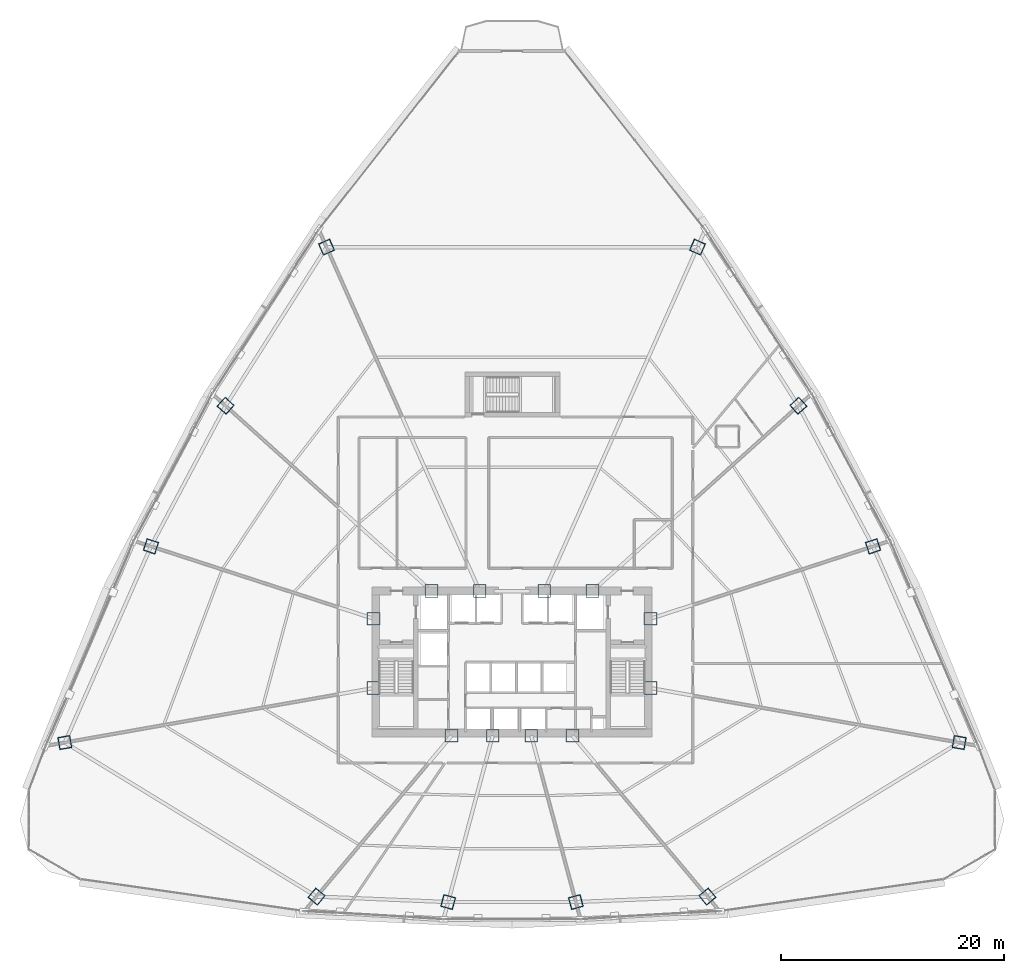
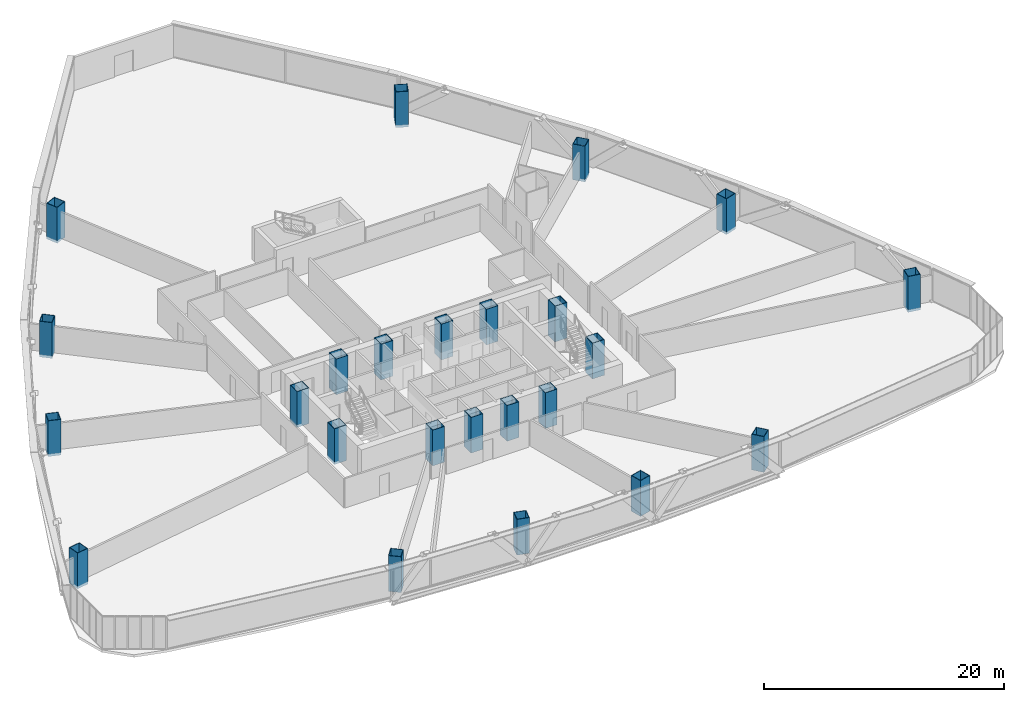
# One storey, part 1 of 42: 24 columns.
"""IFC4 building model written with IfcOpenShell, lengths in metres."""

from ifc_helpers import new_model, si_unit, direction, frame, origin, origin_2d, place, context, subcontext, project, spatial, hollow_rectangle, extrude, source, transform, mapped, material, material_profile, profile_set, type_object, element, save


model = new_model("IFC4")

# Units and contexts
model_context = context("Model", 3, precision=1e-05, world=origin(), true_north=direction((0.0, 1.0)))
body_context = subcontext(model_context, "Body", "Model", "MODEL_VIEW")
ifc_project = project(units=[si_unit("LENGTHUNIT", "METRE"), si_unit("AREAUNIT", "SQUARE_METRE"), si_unit("VOLUMEUNIT", "CUBIC_METRE"), si_unit("PLANEANGLEUNIT", "RADIAN"), si_unit("MASSUNIT", "GRAM", prefix="KILO"), si_unit("THERMODYNAMICTEMPERATUREUNIT", "KELVIN"), si_unit("POWERUNIT", "WATT")], contexts=[model_context])

# Site, building, storey
site_placement = place(None, origin())
site = spatial("IfcSite", under=ifc_project, at=site_placement, CompositionType="ELEMENT")
building_placement = place(site_placement, origin())
building = spatial("IfcBuilding", under=site, at=building_placement, Name="Yunzhuo Pagoda Commons", CompositionType="ELEMENT")
storey_placement = place(building_placement, frame((0.0, 0.0, 48.550048828125)))
storey = spatial("IfcBuildingStorey", under=building, at=storey_placement, Name="L12", CompositionType="ELEMENT", Elevation=48.550048828125)

# Columns
ifc_material = material(Name="Structural steel Q420B", Category="steel")
ifc_material_profile_1 = material_profile(ifc_material, hollow_rectangle(XDim=1.14990234375, YDim=1.14990234375, WallThickness=0.048095703125, at=origin_2d()), Name="Structural steel Q420B")
ifc_profile_set_1 = profile_set([ifc_material_profile_1], Name="Structural steel Q420B")
column_type_1 = type_object("IfcColumnType", Name="C-COR Column BOX 1150x1150x48", PredefinedType="COLUMN", material=ifc_profile_set_1)
shared_shape_1 = source(origin(), body_context, "Body", "SweptSolid", [
    extrude(hollow_rectangle(XDim=1.14990234375, YDim=1.14990234375, WallThickness=0.048095703125, at=origin_2d()), origin(), (0.0, 0.0, 1.0), 3.6298828125),
])
for number, where, z_axis, x_axis, name in (
    (1, (42.587890625, 27.25, -0.260009765625), (0.0, 0.0, 1.0), (1.0, 0.0, 0.0), "L12 core composite column F1C1"),
    (2, (46.27197265625, 27.25, -0.260009765625), (0.0, 0.0, 1.0), (1.0, 0.0, 0.0), "L12 core composite column F1C2"),
    (3, (49.728515625, 27.25, -0.260009765625), (0.0, 0.0, 1.0), (1.0, 0.0, 0.0), "L12 core composite column F1C3"),
    (4, (53.412109375, 27.25, -0.260009765625), (0.0, 0.0, 1.0), (1.0, 0.0, 0.0), "L12 core composite column F1C4"),
    (5, (60.39990234375, 31.513427734375, -0.260009765625), (0.0, 0.0, 1.0), (1.0, 0.0, 0.0), "L12 core composite column F2C1"),
    (6, (60.39990234375, 37.72900390625, -0.260009765625), (0.0, 0.0, 1.0), (1.0, 0.0, 0.0), "L12 core composite column F2C2"),
    (7, (55.218994140625, 40.199951171875, -0.260009765625), (0.0, 0.0, 1.0), (1.0, 0.0, 0.0), "L12 core composite column F2C3"),
    (8, (50.89404296875, 40.199951171875, -0.260009765625), (0.0, 0.0, 1.0), (1.0, 0.0, 0.0), "L12 core composite column F2C4"),
    (9, (45.10595703125, 40.199951171875, -0.260009765625), (0.0, 0.0, 1.0), (1.0, 0.0, 0.0), "L12 core composite column F3C1"),
    (10, (40.781005859375, 40.199951171875, -0.260009765625), (0.0, 0.0, 1.0), (1.0, 0.0, 0.0), "L12 core composite column F3C2"),
    (11, (35.60009765625, 37.72900390625, -0.260009765625), (0.0, 0.0, 1.0), (1.0, 0.0, 0.0), "L12 core composite column F3C3"),
    (12, (35.60009765625, 31.513427734375, -0.260009765625), (0.0, 0.0, 1.0), (1.0, 0.0, 0.0), "L12 core composite column F3C4"),
):
    element("IfcColumn", number, at=place(storey_placement, frame(where, z_axis=z_axis, x_axis=x_axis)), inside=storey, type_object=column_type_1, Name=name, PredefinedType="COLUMN", context=body_context, shape_type="MappedRepresentation", body=[
        mapped(shared_shape_1, transform((0.0, 0.0, 0.0), scale=1.0)),
    ])
ifc_material_profile_2 = material_profile(ifc_material, hollow_rectangle(XDim=1.10009765625, YDim=1.10009765625, WallThickness=0.044921875, at=origin_2d()), Name="Structural steel Q420B")
ifc_profile_set_2 = profile_set([ifc_material_profile_2], Name="Structural steel Q420B")
column_type_2 = type_object("IfcColumnType", Name="C-Z1 Column BOX 1100x1100x45", PredefinedType="COLUMN", material=ifc_profile_set_2)
shared_shape_2 = source(origin(), body_context, "Body", "SweptSolid", [
    extrude(hollow_rectangle(XDim=1.10009765625, YDim=1.10009765625, WallThickness=0.044921875, at=origin_2d()), origin(), (0.0, 0.0, 1.0), 3.6298828125),
])
for number, where, z_axis, x_axis, name in (
    (13, (30.5, 12.844482421875, -0.260009765625), (0.0, 0.0, 1.0), (0.766044443119, -0.642787609687, 0.0), "L12 tower column F1C1"),
    (14, (42.27978515625, 12.35205078125, -0.260009765625), (0.0, 0.0, 1.0), (0.965925826289, -0.258819045103, 0.0), "L12 tower column F1C2"),
    (15, (53.72021484375, 12.35205078125, -0.260009765625), (0.0, 0.0, 1.0), (0.965925826289, 0.258819045103, 0.0), "L12 tower column F1C3"),
    (16, (65.5, 12.844482421875, -0.260009765625), (0.0, 0.0, 1.0), (0.766044443119, 0.642787609687, 0.0), "L12 tower column F1C4"),
    (17, (88.047607421875, 26.638427734375, -0.260009765625), (0.0, 0.0, 1.0), (0.173648177667, 0.984807753012, 0.0), "L12 tower column F2C1"),
    (18, (80.33544921875, 44.206298828125, -0.260009765625), (0.0, 0.0, 1.0), (-0.309016994375, 0.951056516295, 0.0), "L12 tower column F2C2"),
    (19, (73.648681640625, 56.79443359375, -0.260009765625), (0.0, 0.0, 1.0), (-0.669130606359, 0.743144825477, 0.0), "L12 tower column F2C3"),
    (20, (64.61083984375, 71.008544921875, -0.260009765625), (0.0, 0.0, 1.0), (-0.913545457643, 0.406736643076, 0.0), "L12 tower column F2C4"),
    (21, (31.38916015625, 71.008544921875, -0.260009765625), (0.0, 0.0, 1.0), (-0.913545457643, -0.406736643076, 0.0), "L12 tower column F3C1"),
    (22, (22.351318359375, 56.79443359375, -0.260009765625), (0.0, 0.0, 1.0), (-0.669130606359, -0.743144825477, 0.0), "L12 tower column F3C2"),
    (23, (15.66455078125, 44.206298828125, -0.260009765625), (0.0, 0.0, 1.0), (-0.309016994375, -0.951056516295, 0.0), "L12 tower column F3C3"),
    (24, (7.952392578125, 26.638427734375, -0.260009765625), (0.0, 0.0, 1.0), (0.173648177667, -0.984807753012, 0.0), "L12 tower column F3C4"),
):
    element("IfcColumn", number, at=place(storey_placement, frame(where, z_axis=z_axis, x_axis=x_axis)), inside=storey, type_object=column_type_2, Name=name, PredefinedType="COLUMN", context=body_context, shape_type="MappedRepresentation", body=[
        mapped(shared_shape_2, transform((0.0, 0.0, 0.0), scale=1.0)),
    ])

save(model, "model.ifc")
